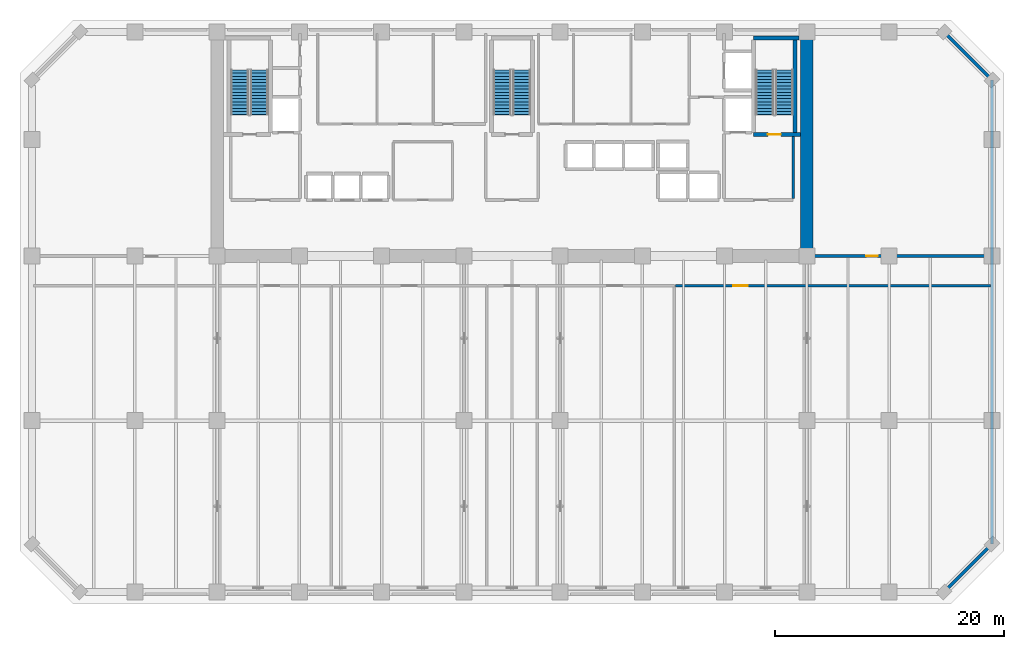
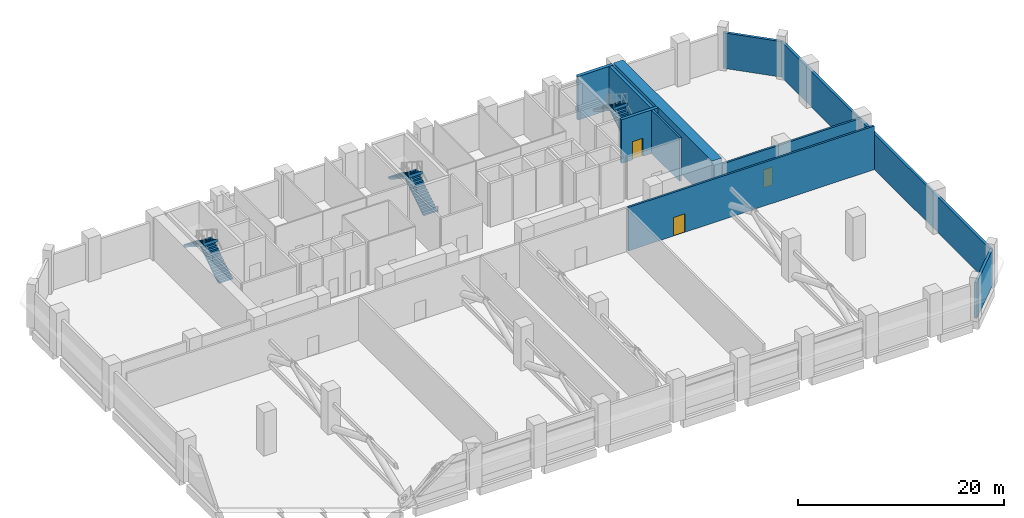
# One storey, part 11 of 15: 10 walls, 6 stair flights, 3 doors, 3 openings, 3 elements without a shape of their own.
"""IFC4 building model written with IfcOpenShell, lengths in metres."""

from ifc_helpers import new_model, si_unit, direction, frame, frame_2d, origin, place, context, subcontext, project, spatial, polyline, rectangle, outline, extrude, material, layer, layer_set, type_object, element, fill, aggregate, save


model = new_model("IFC4")

# Units and contexts
model_context = context("Model", 3, precision=1e-05, world=origin(), true_north=direction((0.0, 1.0)))
body_context = subcontext(model_context, "Body", "Model", "MODEL_VIEW")
ifc_project = project(units=[si_unit("LENGTHUNIT", "METRE"), si_unit("AREAUNIT", "SQUARE_METRE"), si_unit("VOLUMEUNIT", "CUBIC_METRE"), si_unit("PLANEANGLEUNIT", "RADIAN"), si_unit("MASSUNIT", "GRAM", prefix="KILO")], contexts=[model_context])

# Site, building, storey
site_placement = place(None, origin())
site = spatial("IfcSite", under=ifc_project, at=site_placement, CompositionType="ELEMENT")
building_placement = place(site_placement, origin())
building = spatial("IfcBuilding", under=site, at=building_placement, Name="Kaelvorn Grand Hotel", CompositionType="ELEMENT")
storey_placement = place(building_placement, frame((0.0, 0.0, 80.14990234375)))
storey = spatial("IfcBuildingStorey", under=building, at=storey_placement, Name="L18", CompositionType="ELEMENT", Elevation=80.14990234375)

# Walls
ifc_material_1 = material(Name="Concrete C80/95", Category="concrete")
ifc_layer_1 = layer(ifc_material_1, 1.10009765625)
ifc_layer_set_1 = layer_set([ifc_layer_1], Name="Concrete C80/95")
wall_type_1 = type_object("IfcWallType", Name="WL-CORE-1100-C80", PredefinedType="SHEAR", material=ifc_layer_set_1)
wall_1_placement = place(storey_placement, frame((67.800048828125, 29.39990234375, 0.0), z_axis=(0.0, 0.0, 1.0), x_axis=(0.0, 1.0, 0.0)))
element("IfcWall", 1, at=wall_1_placement, inside=storey, type_object=wall_type_1, Name="L18 Rear-Core East Shear Wall", PredefinedType="SHEAR", context=body_context, shape_type="SweptSolid", body=[
    extrude(rectangle(XDim=19.2001953125, YDim=1.10009765625, at=frame_2d((9.60009765625, 0.0))), origin(), (0.0, 0.0, 1.0), 5.16015625),
])
ifc_material_2 = material(Name="Concrete C40/50", Category="concrete")
ifc_layer_2 = layer(ifc_material_2, 0.280029296875)
ifc_layer_set_2 = layer_set([ifc_layer_2], Name="Concrete C40/50")
wall_type_2 = type_object("IfcWallType", Name="WL-EXT-280-C40", PredefinedType="SOLIDWALL", material=ifc_layer_set_2)
wall_2_placement = place(storey_placement, frame((79.800048828125, 0.0, 0.0), z_axis=(0.0, 0.0, 1.0), x_axis=(0.707106781187, 0.707106781187, 0.0)))
element("IfcWall", 2, at=wall_2_placement, inside=storey, type_object=wall_type_2, Name="L18 Exterior Architectural Concrete Wall 02", PredefinedType="SOLIDWALL", context=body_context, shape_type="SweptSolid", body=[
    extrude(rectangle(XDim=5.939697265625, YDim=0.280029296875, at=frame_2d((2.9697265625, 0.0))), origin(), (0.0, 0.0, 1.0), 4.210205078125),
])
wall_3_placement = place(storey_placement, frame((84.0, 4.199951171875, 0.0), z_axis=(0.0, 0.0, 1.0), x_axis=(0.0, 1.0, 0.0)))
element("IfcWall", 3, at=wall_3_placement, inside=storey, type_object=wall_type_2, Name="L18 Exterior Architectural Concrete Wall 03", PredefinedType="SOLIDWALL", context=body_context, shape_type="SweptSolid", body=[
    extrude(rectangle(XDim=40.60009765625, YDim=0.280029296875, at=frame_2d((20.300048828125, 0.0))), origin(), (0.0, 0.0, 1.0), 4.210205078125),
])
wall_4_placement = place(storey_placement, frame((84.0, 44.800048828125, 0.0), z_axis=(0.0, 0.0, 1.0), x_axis=(-0.707106781187, 0.707106781187, 0.0)))
element("IfcWall", 4, at=wall_4_placement, inside=storey, type_object=wall_type_2, Name="L18 Exterior Architectural Concrete Wall 04", PredefinedType="SOLIDWALL", context=body_context, shape_type="SweptSolid", body=[
    extrude(rectangle(XDim=5.939697265625, YDim=0.280029296875, at=frame_2d((2.9697265625, 0.0))), origin(), (0.0, 0.0, 1.0), 4.210205078125),
])
ifc_layer_3 = layer(ifc_material_2, 0.219970703125)
ifc_layer_set_3 = layer_set([ifc_layer_3], Name="Concrete C40/50")
wall_type_3 = type_object("IfcWallType", Name="WL-PART-220-EI120", PredefinedType="PARTITIONING", material=ifc_layer_set_3)
wall_5_placement = place(storey_placement, frame((66.60009765625, 34.4150390625, 0.0), z_axis=(0.0, 0.0, 1.0), x_axis=(0.0, 1.0, 0.0)))
element("IfcWall", 5, at=wall_5_placement, inside=storey, type_object=wall_type_3, Name="L18 Firefighting Lift Lobby 2 E Partition", PredefinedType="PARTITIONING", context=body_context, shape_type="SweptSolid", body=[
    extrude(rectangle(XDim=5.429931640625, YDim=0.219970703125, at=frame_2d((2.71484375, 0.0))), origin(), (0.0, 0.0, 1.0), 5.16015625),
])

# Wall, opening, door
wall_6_placement = place(storey_placement, frame((68.35498046875, 29.39990234375, 0.0), z_axis=(0.0, 0.0, 1.0), x_axis=(1.0, 0.0, 0.0)))
wall_6 = element("IfcWall", 6, at=wall_6_placement, inside=storey, type_object=wall_type_3, Name="L18 North-East Refuge Area S Partition", PredefinedType="PARTITIONING", context=body_context, shape_type="SweptSolid", body=[
    extrude(rectangle(XDim=15.4951171875, YDim=0.219970703125, at=frame_2d((7.74755859375, 0.0))), origin(), (0.0, 0.0, 1.0), 4.510009765625),
])
opening_1_placement = place(wall_6_placement, frame((4.64501953125, 0.0, 0.0)))
opening_1 = element("IfcOpeningElement", 7, at=opening_1_placement, cuts=wall_6, Name="Opening DI3", PredefinedType="OPENING", context=body_context, shape_type="SweptSolid", body=[
    extrude(rectangle(XDim=1.0, YDim=2.14990234375, at=frame_2d((0.5, 1.074951171875))), frame((0.0, 0.1201171875, 0.0), z_axis=(0.0, -1.0, 0.0), x_axis=(1.0, 0.0, 0.0)), (0.0, 0.0, 1.0), 0.239990234375),
])
ifc_material_3 = material(Name="Timber Veneer Fire Leaf", Category="wood")
door_type_1 = type_object("IfcDoorType", Name="DR-INT-GUEST-1000x2150", OperationType="NOTDEFINED", PredefinedType="DOOR", material=ifc_material_3)
door_1_placement = place(opening_1_placement, origin())
door_1 = element("IfcDoor", 8, at=door_1_placement, inside=storey, type_object=door_type_1, Name="L18 North-East Refuge Area Door", OperationType="SINGLE_SWING_RIGHT", OverallHeight=2.14990234375, OverallWidth=1.0, PredefinedType="DOOR", context=body_context, shape_type="SweptSolid", body=[
    extrude(rectangle(XDim=1.0, YDim=2.14990234375, at=frame_2d((0.5, 1.074951171875))), frame((0.0, 0.02490234375, 0.0), z_axis=(0.0, -1.0, 0.0), x_axis=(1.0, 0.0, 0.0)), (0.0, 0.0, 1.0), 0.050048828125),
])
fill(opening_1, door_1)

wall_7_placement = place(storey_placement, frame((56.31494140625, 26.800048828125, 0.0), z_axis=(0.0, 0.0, 1.0), x_axis=(1.0, 0.0, 0.0)))
wall_7 = element("IfcWall", 9, at=wall_7_placement, inside=storey, type_object=wall_type_3, Name="L18 Domestic & Fire Break Water Tank & Pump Room N Partition", PredefinedType="PARTITIONING", context=body_context, shape_type="SweptSolid", body=[
    extrude(rectangle(XDim=27.53515625, YDim=0.219970703125, at=frame_2d((13.767578125, 0.0))), origin(), (0.0, 0.0, 1.0), 5.16015625),
])
opening_2_placement = place(wall_7_placement, frame((5.034912109375, 0.0, 0.0)))
opening_2 = element("IfcOpeningElement", 10, at=opening_2_placement, cuts=wall_7, Name="Opening DI6", PredefinedType="OPENING", context=body_context, shape_type="SweptSolid", body=[
    extrude(rectangle(XDim=1.300048828125, YDim=2.199951171875, at=frame_2d((0.64990234375, 1.10009765625))), frame((0.0, 0.1201171875, 0.0), z_axis=(0.0, -1.0, 0.0), x_axis=(1.0, 0.0, 0.0)), (0.0, 0.0, 1.0), 0.239990234375),
])
ifc_material_4 = material(Name="Powder-Coated Steel Leaf", Category="steel")
door_type_2 = type_object("IfcDoorType", Name="DR-INT-PLANT-1300x2200", OperationType="DOUBLE_DOOR_SINGLE_SWING", PredefinedType="DOOR", material=ifc_material_4)
door_2_placement = place(opening_2_placement, origin())
door_2 = element("IfcDoor", 11, at=door_2_placement, inside=storey, type_object=door_type_2, Name="L18 Domestic & Fire Break Water Tank & Pump Room Door", OperationType="DOUBLE_DOOR_SINGLE_SWING", OverallHeight=2.199951171875, OverallWidth=1.300048828125, PredefinedType="DOOR", context=body_context, shape_type="SweptSolid", body=[
    extrude(rectangle(XDim=1.300048828125, YDim=2.199951171875, at=frame_2d((0.64990234375, 1.10009765625))), frame((0.0, 0.02490234375, 0.0), z_axis=(0.0, -1.0, 0.0), x_axis=(1.0, 0.0, 0.0)), (0.0, 0.0, 1.0), 0.050048828125),
])
fill(opening_2, door_2)

ifc_material_5 = material(Name="Concrete C60/75", Category="concrete")
ifc_layer_4 = layer(ifc_material_5, 0.35009765625)
ifc_layer_set_4 = layer_set([ifc_layer_4], Name="Concrete C60/75")
wall_type_4 = type_object("IfcWallType", Name="WL-SHAFT-350-C60", PredefinedType="SHEAR", material=ifc_layer_set_4)
wall_8_placement = place(storey_placement, frame((63.14501953125, 40.02490234375, 0.0), z_axis=(0.0, 0.0, 1.0), x_axis=(1.0, 0.0, 0.0)))
wall_8 = element("IfcWall", 12, at=wall_8_placement, inside=storey, type_object=wall_type_4, Name="L18 ST3 Stair Shaft South Wall", PredefinedType="SHEAR", context=body_context, shape_type="SweptSolid", body=[
    extrude(rectangle(XDim=4.10009765625, YDim=0.35009765625, at=frame_2d((2.050048828125, 0.0))), origin(), (0.0, 0.0, 1.0), 5.16015625),
])
opening_3_placement = place(wall_8_placement, frame((1.239990234375, 0.0, 0.0)))
opening_3 = element("IfcOpeningElement", 13, at=opening_3_placement, cuts=wall_8, Name="Opening DI1", PredefinedType="OPENING", context=body_context, shape_type="SweptSolid", body=[
    extrude(rectangle(XDim=1.14990234375, YDim=2.14990234375, at=frame_2d((0.574951171875, 1.074951171875))), frame((0.0, 0.18505859375, 0.0), z_axis=(0.0, -1.0, 0.0), x_axis=(1.0, 0.0, 0.0)), (0.0, 0.0, 1.0), 0.3701171875),
])
door_type_3 = type_object("IfcDoorType", Name="DR-INT-STAIR-1150x2150", OperationType="NOTDEFINED", PredefinedType="DOOR", material=ifc_material_3)
door_3_placement = place(opening_3_placement, origin())
door_3 = element("IfcDoor", 14, at=door_3_placement, inside=storey, type_object=door_type_3, Name="L18 ST3 Exit Stair Fire Door", OperationType="SINGLE_SWING_LEFT", OverallHeight=2.14990234375, OverallWidth=1.14990234375, PredefinedType="DOOR", context=body_context, shape_type="SweptSolid", body=[
    extrude(rectangle(XDim=1.14990234375, YDim=2.14990234375, at=frame_2d((0.574951171875, 1.074951171875))), frame((0.0, 0.02490234375, 0.0), z_axis=(0.0, -1.0, 0.0), x_axis=(1.0, 0.0, 0.0)), (0.0, 0.0, 1.0), 0.050048828125),
])
fill(opening_3, door_3)

# Walls
wall_9_placement = place(storey_placement, frame((63.14501953125, 48.47509765625, 0.0), z_axis=(0.0, 0.0, 1.0), x_axis=(1.0, 0.0, 0.0)))
element("IfcWall", 15, at=wall_9_placement, inside=storey, type_object=wall_type_4, Name="L18 ST3 Stair Shaft North Wall", PredefinedType="SHEAR", context=body_context, shape_type="SweptSolid", body=[
    extrude(rectangle(XDim=3.949951171875, YDim=0.35009765625, at=frame_2d((1.97509765625, 0.0))), origin(), (0.0, 0.0, 1.0), 5.16015625),
])
wall_10_placement = place(storey_placement, frame((66.77490234375, 40.205078125, 0.0), z_axis=(0.0, 0.0, 1.0), x_axis=(0.0, 1.0, 0.0)))
element("IfcWall", 16, at=wall_10_placement, inside=storey, type_object=wall_type_4, Name="L18 ST3 Stair Shaft East Wall", PredefinedType="SHEAR", context=body_context, shape_type="SweptSolid", body=[
    extrude(rectangle(XDim=8.08984375, YDim=0.35009765625, at=frame_2d((4.044921875, 0.0))), origin(), (0.0, 0.0, 1.0), 5.16015625),
])

# Stair, stair flights
stair_type = type_object("IfcStairType", Name="STR-DOG-1560-R04", PredefinedType="HALF_TURN_STAIR", material=ifc_material_2)
stair_1_placement = place(storey_placement, origin())
stair_1 = element("IfcStair", 17, at=stair_1_placement, inside=storey, type_object=stair_type, Name="L18 West Core Exit Stair ST1", PredefinedType="HALF_TURN_STAIR")
stair_flight_type = type_object("IfcStairFlightType", Name="FLG-DOG-1560-R04", PredefinedType="STRAIGHT", material=ifc_material_2)
stair_flight_1_placement = place(storey_placement, frame((19.89990234375, 41.760009765625, 0.0), z_axis=(0.0, 0.0, 1.0), x_axis=(0.0, 1.0, 0.0)))
stair_flight_1 = element("IfcStairFlight", 18, at=stair_flight_1_placement, type_object=stair_flight_type, Name="ST1 flight 1", NumberOfRisers=15, NumberOfTreads=14, PredefinedType="STRAIGHT", RiserHeight=0.18, TreadLength=0.28, context=body_context, shape_type="SweptSolid", body=[
    extrude(outline(polyline([(-0.0048828125, 0.0), (-0.0048828125, 0.0400390625), (0.0, 0.179931640625), (0.280029296875, 0.179931640625), (0.280029296875, 0.360107421875), (0.56005859375, 0.360107421875), (0.56005859375, 0.5400390625), (0.840087890625, 0.5400390625), (0.840087890625, 0.719970703125), (1.1201171875, 0.719970703125), (1.1201171875, 0.89990234375), (1.39990234375, 0.89990234375), (1.39990234375, 1.080078125), (1.679931640625, 1.080078125), (1.679931640625, 1.260009765625), (1.9599609375, 1.260009765625), (1.9599609375, 1.43994140625), (2.239990234375, 1.43994140625), (2.239990234375, 1.6201171875), (2.52001953125, 1.6201171875), (2.52001953125, 1.800048828125), (2.800048828125, 1.800048828125), (2.800048828125, 1.97998046875), (3.080078125, 1.97998046875), (3.080078125, 2.159912109375), (3.360107421875, 2.159912109375), (3.360107421875, 2.340087890625), (3.639892578125, 2.340087890625), (3.639892578125, 2.52001953125), (3.919921875, 2.52001953125), (3.919921875, 2.699951171875), (3.925048828125, 2.699951171875), (3.925048828125, 2.341796875), (0.277099609375, 0.0), (-0.0048828125, 0.0)])), frame((0.0, 0.780029296875, 0.0), z_axis=(0.0, -1.0, 0.0), x_axis=(1.0, 0.0, 0.0)), (0.0, 0.0, 1.0), 1.56005859375),
])
stair_flight_2_placement = place(storey_placement, frame((18.179931640625, 45.679931640625, 2.7001953125), z_axis=(0.0, 0.0, 1.0), x_axis=(0.0, -1.0, 0.0)))
stair_flight_2 = element("IfcStairFlight", 19, at=stair_flight_2_placement, type_object=stair_flight_type, Name="ST1 flight 2", NumberOfRisers=15, NumberOfTreads=14, PredefinedType="STRAIGHT", RiserHeight=0.18, TreadLength=0.28, context=body_context, shape_type="SweptSolid", body=[
    extrude(outline(polyline([(-0.0048828125, 0.0), (-0.0048828125, 0.0400390625), (0.0, 0.179931640625), (0.280029296875, 0.179931640625), (0.280029296875, 0.360107421875), (0.56005859375, 0.360107421875), (0.56005859375, 0.5400390625), (0.840087890625, 0.5400390625), (0.840087890625, 0.719970703125), (1.1201171875, 0.719970703125), (1.1201171875, 0.89990234375), (1.39990234375, 0.89990234375), (1.39990234375, 1.080078125), (1.679931640625, 1.080078125), (1.679931640625, 1.260009765625), (1.9599609375, 1.260009765625), (1.9599609375, 1.43994140625), (2.239990234375, 1.43994140625), (2.239990234375, 1.6201171875), (2.52001953125, 1.6201171875), (2.52001953125, 1.800048828125), (2.800048828125, 1.800048828125), (2.800048828125, 1.97998046875), (3.080078125, 1.97998046875), (3.080078125, 2.159912109375), (3.360107421875, 2.159912109375), (3.360107421875, 2.340087890625), (3.639892578125, 2.340087890625), (3.639892578125, 2.52001953125), (3.919921875, 2.52001953125), (3.919921875, 2.699951171875), (3.925048828125, 2.699951171875), (3.925048828125, 2.341796875), (0.277099609375, 0.0), (-0.0048828125, 0.0)])), frame((0.0, 0.780029296875, 0.0), z_axis=(0.0, -1.0, 0.0), x_axis=(1.0, 0.0, 0.0)), (0.0, 0.0, 1.0), 1.56005859375),
])
aggregate(stair_1, [stair_flight_1, stair_flight_2])

stair_2_placement = place(storey_placement, origin())
stair_2 = element("IfcStair", 20, at=stair_2_placement, inside=storey, type_object=stair_type, Name="L18 Central Core Exit Stair ST2", PredefinedType="HALF_TURN_STAIR")
stair_flight_3_placement = place(storey_placement, frame((42.860107421875, 41.760009765625, 0.0), z_axis=(0.0, 0.0, 1.0), x_axis=(0.0, 1.0, 0.0)))
stair_flight_3 = element("IfcStairFlight", 21, at=stair_flight_3_placement, type_object=stair_flight_type, Name="ST2 flight 1", NumberOfRisers=15, NumberOfTreads=14, PredefinedType="STRAIGHT", RiserHeight=0.18, TreadLength=0.28, context=body_context, shape_type="SweptSolid", body=[
    extrude(outline(polyline([(-0.0048828125, 0.0), (-0.0048828125, 0.0400390625), (0.0, 0.179931640625), (0.280029296875, 0.179931640625), (0.280029296875, 0.360107421875), (0.56005859375, 0.360107421875), (0.56005859375, 0.5400390625), (0.840087890625, 0.5400390625), (0.840087890625, 0.719970703125), (1.1201171875, 0.719970703125), (1.1201171875, 0.89990234375), (1.39990234375, 0.89990234375), (1.39990234375, 1.080078125), (1.679931640625, 1.080078125), (1.679931640625, 1.260009765625), (1.9599609375, 1.260009765625), (1.9599609375, 1.43994140625), (2.239990234375, 1.43994140625), (2.239990234375, 1.6201171875), (2.52001953125, 1.6201171875), (2.52001953125, 1.800048828125), (2.800048828125, 1.800048828125), (2.800048828125, 1.97998046875), (3.080078125, 1.97998046875), (3.080078125, 2.159912109375), (3.360107421875, 2.159912109375), (3.360107421875, 2.340087890625), (3.639892578125, 2.340087890625), (3.639892578125, 2.52001953125), (3.919921875, 2.52001953125), (3.919921875, 2.699951171875), (3.925048828125, 2.699951171875), (3.925048828125, 2.341796875), (0.277099609375, 0.0), (-0.0048828125, 0.0)])), frame((0.0, 0.780029296875, 0.0), z_axis=(0.0, -1.0, 0.0), x_axis=(1.0, 0.0, 0.0)), (0.0, 0.0, 1.0), 1.56005859375),
])
stair_flight_4_placement = place(storey_placement, frame((41.139892578125, 45.679931640625, 2.7001953125), z_axis=(0.0, 0.0, 1.0), x_axis=(0.0, -1.0, 0.0)))
stair_flight_4 = element("IfcStairFlight", 22, at=stair_flight_4_placement, type_object=stair_flight_type, Name="ST2 flight 2", NumberOfRisers=15, NumberOfTreads=14, PredefinedType="STRAIGHT", RiserHeight=0.18, TreadLength=0.28, context=body_context, shape_type="SweptSolid", body=[
    extrude(outline(polyline([(-0.0048828125, 0.0), (-0.0048828125, 0.0400390625), (0.0, 0.179931640625), (0.280029296875, 0.179931640625), (0.280029296875, 0.360107421875), (0.56005859375, 0.360107421875), (0.56005859375, 0.5400390625), (0.840087890625, 0.5400390625), (0.840087890625, 0.719970703125), (1.1201171875, 0.719970703125), (1.1201171875, 0.89990234375), (1.39990234375, 0.89990234375), (1.39990234375, 1.080078125), (1.679931640625, 1.080078125), (1.679931640625, 1.260009765625), (1.9599609375, 1.260009765625), (1.9599609375, 1.43994140625), (2.239990234375, 1.43994140625), (2.239990234375, 1.6201171875), (2.52001953125, 1.6201171875), (2.52001953125, 1.800048828125), (2.800048828125, 1.800048828125), (2.800048828125, 1.97998046875), (3.080078125, 1.97998046875), (3.080078125, 2.159912109375), (3.360107421875, 2.159912109375), (3.360107421875, 2.340087890625), (3.639892578125, 2.340087890625), (3.639892578125, 2.52001953125), (3.919921875, 2.52001953125), (3.919921875, 2.699951171875), (3.925048828125, 2.699951171875), (3.925048828125, 2.341796875), (0.277099609375, 0.0), (-0.0048828125, 0.0)])), frame((0.0, 0.780029296875, 0.0), z_axis=(0.0, -1.0, 0.0), x_axis=(1.0, 0.0, 0.0)), (0.0, 0.0, 1.0), 1.56005859375),
])
aggregate(stair_2, [stair_flight_3, stair_flight_4])

stair_3_placement = place(storey_placement, origin())
stair_3 = element("IfcStair", 23, at=stair_3_placement, inside=storey, type_object=stair_type, Name="L18 East Core Exit Stair ST3", PredefinedType="HALF_TURN_STAIR")
stair_flight_5_placement = place(storey_placement, frame((65.820068359375, 41.760009765625, 0.0), z_axis=(0.0, 0.0, 1.0), x_axis=(0.0, 1.0, 0.0)))
stair_flight_5 = element("IfcStairFlight", 24, at=stair_flight_5_placement, type_object=stair_flight_type, Name="ST3 flight 1", NumberOfRisers=15, NumberOfTreads=14, PredefinedType="STRAIGHT", RiserHeight=0.18, TreadLength=0.28, context=body_context, shape_type="SweptSolid", body=[
    extrude(outline(polyline([(-0.0048828125, 0.0), (-0.0048828125, 0.0400390625), (0.0, 0.179931640625), (0.280029296875, 0.179931640625), (0.280029296875, 0.360107421875), (0.56005859375, 0.360107421875), (0.56005859375, 0.5400390625), (0.840087890625, 0.5400390625), (0.840087890625, 0.719970703125), (1.1201171875, 0.719970703125), (1.1201171875, 0.89990234375), (1.39990234375, 0.89990234375), (1.39990234375, 1.080078125), (1.679931640625, 1.080078125), (1.679931640625, 1.260009765625), (1.9599609375, 1.260009765625), (1.9599609375, 1.43994140625), (2.239990234375, 1.43994140625), (2.239990234375, 1.6201171875), (2.52001953125, 1.6201171875), (2.52001953125, 1.800048828125), (2.800048828125, 1.800048828125), (2.800048828125, 1.97998046875), (3.080078125, 1.97998046875), (3.080078125, 2.159912109375), (3.360107421875, 2.159912109375), (3.360107421875, 2.340087890625), (3.639892578125, 2.340087890625), (3.639892578125, 2.52001953125), (3.919921875, 2.52001953125), (3.919921875, 2.699951171875), (3.925048828125, 2.699951171875), (3.925048828125, 2.341796875), (0.277099609375, 0.0), (-0.0048828125, 0.0)])), frame((0.0, 0.780029296875, 0.0), z_axis=(0.0, -1.0, 0.0), x_axis=(1.0, 0.0, 0.0)), (0.0, 0.0, 1.0), 1.56005859375),
])
stair_flight_6_placement = place(storey_placement, frame((64.10009765625, 45.679931640625, 2.7001953125), z_axis=(0.0, 0.0, 1.0), x_axis=(0.0, -1.0, 0.0)))
stair_flight_6 = element("IfcStairFlight", 25, at=stair_flight_6_placement, type_object=stair_flight_type, Name="ST3 flight 2", NumberOfRisers=15, NumberOfTreads=14, PredefinedType="STRAIGHT", RiserHeight=0.18, TreadLength=0.28, context=body_context, shape_type="SweptSolid", body=[
    extrude(outline(polyline([(-0.0048828125, 0.0), (-0.0048828125, 0.0400390625), (0.0, 0.179931640625), (0.280029296875, 0.179931640625), (0.280029296875, 0.360107421875), (0.56005859375, 0.360107421875), (0.56005859375, 0.5400390625), (0.840087890625, 0.5400390625), (0.840087890625, 0.719970703125), (1.1201171875, 0.719970703125), (1.1201171875, 0.89990234375), (1.39990234375, 0.89990234375), (1.39990234375, 1.080078125), (1.679931640625, 1.080078125), (1.679931640625, 1.260009765625), (1.9599609375, 1.260009765625), (1.9599609375, 1.43994140625), (2.239990234375, 1.43994140625), (2.239990234375, 1.6201171875), (2.52001953125, 1.6201171875), (2.52001953125, 1.800048828125), (2.800048828125, 1.800048828125), (2.800048828125, 1.97998046875), (3.080078125, 1.97998046875), (3.080078125, 2.159912109375), (3.360107421875, 2.159912109375), (3.360107421875, 2.340087890625), (3.639892578125, 2.340087890625), (3.639892578125, 2.52001953125), (3.919921875, 2.52001953125), (3.919921875, 2.699951171875), (3.925048828125, 2.699951171875), (3.925048828125, 2.341796875), (0.277099609375, 0.0), (-0.0048828125, 0.0)])), frame((0.0, 0.780029296875, 0.0), z_axis=(0.0, -1.0, 0.0), x_axis=(1.0, 0.0, 0.0)), (0.0, 0.0, 1.0), 1.56005859375),
])
aggregate(stair_3, [stair_flight_5, stair_flight_6])

save(model, "model.ifc")
